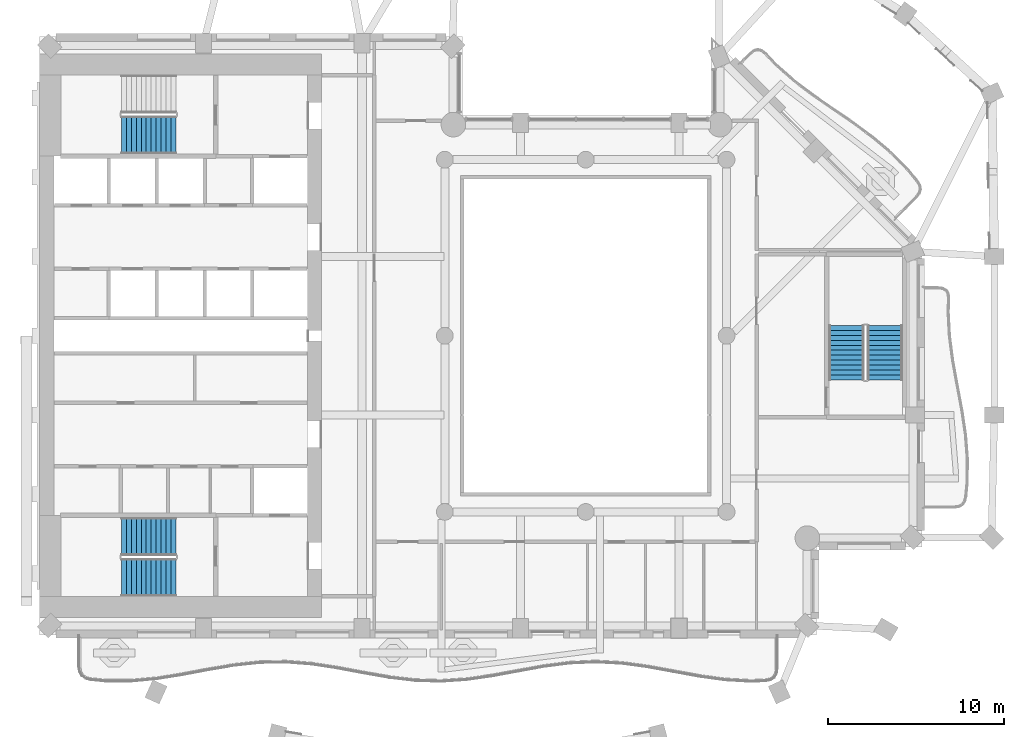
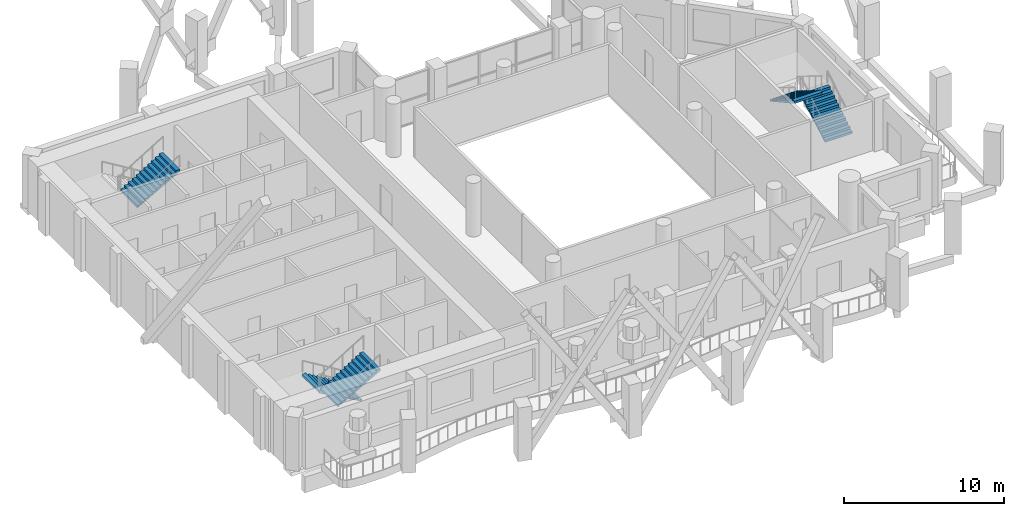
# One storey, part 10 of 17: 5 stair flights, 3 elements without a shape of their own.
"""IFC4 building model written with IfcOpenShell, lengths in metres."""

from ifc_helpers import new_model, si_unit, direction, frame, origin, place, context, subcontext, project, spatial, triangles, material, type_object, element, aggregate, save


model = new_model("IFC4")

# Units and contexts
model_context = context("Model", 3, precision=1e-05, world=origin(), true_north=direction((0.0, 1.0)))
body_context = subcontext(model_context, "Body", "Model", "MODEL_VIEW")
ifc_project = project(units=[si_unit("LENGTHUNIT", "METRE"), si_unit("AREAUNIT", "SQUARE_METRE"), si_unit("VOLUMEUNIT", "CUBIC_METRE"), si_unit("PLANEANGLEUNIT", "RADIAN"), si_unit("MASSUNIT", "GRAM", prefix="KILO")], contexts=[model_context])

# Site, building, storey
site_placement = place(None, origin())
site = spatial("IfcSite", under=ifc_project, at=site_placement, CompositionType="ELEMENT")
building_placement = place(site_placement, origin())
building = spatial("IfcBuilding", under=site, at=building_placement, Name="Cypress Arch Tower", CompositionType="ELEMENT")
storey_placement = place(building_placement, frame((0.0, 0.0, 217.89990234375)))
storey = spatial("IfcBuildingStorey", under=building, at=storey_placement, Name="L48", CompositionType="ELEMENT", Elevation=217.89990234375)

# Stair, stair flights
ifc_material_1 = material(Name="Concrete C40/50", Category="concrete")
stair_type_1 = type_object("IfcStairType", Name="Exit stair ES1708-200", PredefinedType="HALF_TURN_STAIR", material=ifc_material_1)
stair_1_placement = place(storey_placement, origin())
stair_1 = element("IfcStair", 1, at=stair_1_placement, inside=storey, type_object=stair_type_1, Name="L48 Exit stair C", PredefinedType="HALF_TURN_STAIR")
ifc_material_2 = material(Name="Concrete C40/50", Category="concrete")
stair_flight_type_1 = type_object("IfcStairFlightType", Name="Exit stair flight ES1708-200", PredefinedType="STRAIGHT", material=ifc_material_2)
stair_flight_1_placement = place(storey_placement, frame((18.0, -2.5, 0.0), z_axis=(0.0, 0.0, 1.0), x_axis=(0.0, 1.0, 0.0)))
stair_flight_1 = element("IfcStairFlight", 2, at=stair_flight_1_placement, type_object=stair_flight_type_1, Name="C flight 1", NumberOfRisers=12, NumberOfTreads=11, PredefinedType="STRAIGHT", RiserHeight=0.170833333, TreadLength=0.28, context=body_context, shape_type="Tessellation", body=[
    triangles([(0.0, -1.0, 0.0), (0.0, -1.0, 0.1708984375), (0.280029296875, -1.0, 0.1708984375), (0.280029296875, -1.0, 0.341552734375), (0.56005859375, -1.0, 0.341552734375), (0.56005859375, -1.0, 0.512451171875), (0.840087890625, -1.0, 0.512451171875), (0.840087890625, -1.0, 0.683349609375), (1.1201171875, -1.0, 0.683349609375), (1.1201171875, -1.0, 0.854248046875), (1.39990234375, -1.0, 0.854248046875), (1.39990234375, -1.0, 1.02490234375), (1.679931640625, -1.0, 1.02490234375), (1.679931640625, -1.0, 1.19580078125), (1.9599609375, -1.0, 1.19580078125), (1.9599609375, -1.0, 1.36669921875), (2.239990234375, -1.0, 1.36669921875), (2.239990234375, -1.0, 1.53759765625), (2.52001953125, -1.0, 1.53759765625), (2.52001953125, -1.0, 1.708251953125), (2.800048828125, -1.0, 1.708251953125), (2.800048828125, -1.0, 1.879150390625), (3.080078125, -1.0, 1.879150390625), (3.080078125, -1.0, 1.70361328125), (3.080078125, 1.0, 1.70361328125), (3.080078125, 1.0, 1.879150390625), (2.800048828125, 1.0, 1.879150390625), (2.800048828125, 1.0, 1.708251953125), (2.52001953125, 1.0, 1.708251953125), (2.52001953125, 1.0, 1.53759765625), (2.239990234375, 1.0, 1.53759765625), (2.239990234375, 1.0, 1.36669921875), (1.9599609375, 1.0, 1.36669921875), (1.9599609375, 1.0, 1.19580078125), (1.679931640625, 1.0, 1.19580078125), (1.679931640625, 1.0, 1.02490234375), (1.39990234375, 1.0, 1.02490234375), (1.39990234375, 1.0, 0.854248046875), (1.1201171875, 1.0, 0.854248046875), (1.1201171875, 1.0, 0.683349609375), (0.840087890625, 1.0, 0.683349609375), (0.840087890625, 1.0, 0.512451171875), (0.56005859375, 1.0, 0.512451171875), (0.56005859375, 1.0, 0.341552734375), (0.280029296875, 1.0, 0.341552734375), (0.280029296875, 1.0, 0.1708984375), (0.0, 1.0, 0.1708984375), (0.0, 1.0, 0.0), (3.080078125, 0.0, 1.879150390625), (3.080078125, 0.0, 1.70361328125), (2.800048828125, 0.0, 1.879150390625), (2.800048828125, 0.0, 1.708251953125), (2.52001953125, 0.0, 1.708251953125), (2.52001953125, 0.0, 1.53759765625), (2.239990234375, 0.0, 1.53759765625), (2.239990234375, 0.0, 1.36669921875), (1.9599609375, 0.0, 1.36669921875), (1.9599609375, 0.0, 1.19580078125), (1.679931640625, 0.0, 1.19580078125), (1.679931640625, 0.0, 1.02490234375), (1.39990234375, 0.0, 1.02490234375), (1.39990234375, 0.0, 0.854248046875), (1.1201171875, 0.0, 0.854248046875), (1.1201171875, 0.0, 0.683349609375), (0.840087890625, 0.0, 0.683349609375), (0.840087890625, 0.0, 0.512451171875), (0.56005859375, 0.0, 0.512451171875), (0.56005859375, 0.0, 0.341552734375), (0.280029296875, 0.0, 0.341552734375), (0.280029296875, 0.0, 0.1708984375), (0.0, 0.0, 0.1708984375), (0.0, 0.0, 0.0)], [[24, 23, 22], [11, 10, 9], [19, 18, 17], [17, 16, 15], [15, 14, 13], [9, 8, 7], [7, 6, 5], [3, 2, 1], [21, 20, 19], [13, 12, 11], [5, 4, 3], [24, 22, 21], [24, 21, 19], [24, 19, 17], [24, 17, 15], [24, 15, 13], [24, 13, 11], [24, 11, 9], [24, 9, 7], [24, 7, 5], [1, 24, 5], [5, 3, 1], [25, 27, 26], [38, 40, 39], [30, 32, 31], [32, 34, 33], [34, 36, 35], [40, 42, 41], [42, 44, 43], [46, 48, 47], [28, 30, 29], [36, 38, 37], [44, 46, 45], [25, 28, 27], [25, 30, 28], [25, 32, 30], [25, 34, 32], [25, 36, 34], [25, 38, 36], [25, 40, 38], [25, 42, 40], [25, 44, 42], [48, 44, 25], [44, 48, 46], [50, 49, 23], [50, 23, 24], [25, 26, 49], [25, 49, 50], [49, 51, 22], [49, 22, 23], [26, 27, 51], [26, 51, 49], [51, 52, 21], [51, 21, 22], [27, 28, 52], [27, 52, 51], [52, 53, 20], [52, 20, 21], [28, 29, 53], [28, 53, 52], [53, 54, 19], [53, 19, 20], [29, 30, 54], [29, 54, 53], [54, 55, 18], [54, 18, 19], [30, 31, 55], [30, 55, 54], [55, 56, 17], [55, 17, 18], [31, 32, 56], [31, 56, 55], [56, 57, 16], [56, 16, 17], [32, 33, 57], [32, 57, 56], [57, 58, 15], [57, 15, 16], [33, 34, 58], [33, 58, 57], [58, 59, 14], [58, 14, 15], [34, 35, 59], [34, 59, 58], [59, 60, 13], [59, 13, 14], [35, 36, 60], [35, 60, 59], [60, 61, 12], [60, 12, 13], [36, 37, 61], [36, 61, 60], [61, 62, 11], [61, 11, 12], [37, 38, 62], [37, 62, 61], [62, 63, 10], [62, 10, 11], [38, 39, 63], [38, 63, 62], [63, 64, 9], [63, 9, 10], [39, 40, 64], [39, 64, 63], [64, 65, 8], [64, 8, 9], [40, 41, 65], [40, 65, 64], [65, 66, 7], [65, 7, 8], [41, 42, 66], [41, 66, 65], [66, 67, 6], [66, 6, 7], [42, 43, 67], [42, 67, 66], [67, 68, 5], [67, 5, 6], [43, 44, 68], [43, 68, 67], [68, 69, 4], [68, 4, 5], [44, 45, 69], [44, 69, 68], [69, 70, 3], [69, 3, 4], [45, 46, 70], [45, 70, 69], [70, 71, 2], [70, 2, 3], [46, 47, 71], [46, 71, 70], [71, 72, 1], [71, 1, 2], [47, 48, 72], [47, 72, 71], [72, 50, 24], [72, 24, 1], [48, 25, 50], [48, 50, 72]], closed=True),
])
stair_flight_2_placement = place(storey_placement, frame((15.800048828125, 0.580078125, 2.050048828125), z_axis=(0.0, 0.0, 1.0), x_axis=(0.0, -1.0, 0.0)))
stair_flight_2 = element("IfcStairFlight", 3, at=stair_flight_2_placement, type_object=stair_flight_type_1, Name="C flight 2", NumberOfRisers=12, NumberOfTreads=11, PredefinedType="STRAIGHT", RiserHeight=0.170833333, TreadLength=0.28, context=body_context, shape_type="Tessellation", body=[
    triangles([(0.0, -1.0, 0.0), (0.0, -1.0, 0.1708984375), (0.280029296875, -1.0, 0.1708984375), (0.280029296875, -1.0, 0.341552734375), (0.56005859375, -1.0, 0.341552734375), (0.56005859375, -1.0, 0.512451171875), (0.840087890625, -1.0, 0.512451171875), (0.840087890625, -1.0, 0.683349609375), (1.1201171875, -1.0, 0.683349609375), (1.1201171875, -1.0, 0.854248046875), (1.39990234375, -1.0, 0.854248046875), (1.39990234375, -1.0, 1.02490234375), (1.679931640625, -1.0, 1.02490234375), (1.679931640625, -1.0, 1.19580078125), (1.9599609375, -1.0, 1.19580078125), (1.9599609375, -1.0, 1.36669921875), (2.239990234375, -1.0, 1.36669921875), (2.239990234375, -1.0, 1.53759765625), (2.52001953125, -1.0, 1.53759765625), (2.52001953125, -1.0, 1.708251953125), (2.800048828125, -1.0, 1.708251953125), (2.800048828125, -1.0, 1.879150390625), (3.080078125, -1.0, 1.879150390625), (3.080078125, -1.0, 1.70361328125), (3.080078125, 1.0, 1.70361328125), (3.080078125, 1.0, 1.879150390625), (2.800048828125, 1.0, 1.879150390625), (2.800048828125, 1.0, 1.708251953125), (2.52001953125, 1.0, 1.708251953125), (2.52001953125, 1.0, 1.53759765625), (2.239990234375, 1.0, 1.53759765625), (2.239990234375, 1.0, 1.36669921875), (1.9599609375, 1.0, 1.36669921875), (1.9599609375, 1.0, 1.19580078125), (1.679931640625, 1.0, 1.19580078125), (1.679931640625, 1.0, 1.02490234375), (1.39990234375, 1.0, 1.02490234375), (1.39990234375, 1.0, 0.854248046875), (1.1201171875, 1.0, 0.854248046875), (1.1201171875, 1.0, 0.683349609375), (0.840087890625, 1.0, 0.683349609375), (0.840087890625, 1.0, 0.512451171875), (0.56005859375, 1.0, 0.512451171875), (0.56005859375, 1.0, 0.341552734375), (0.280029296875, 1.0, 0.341552734375), (0.280029296875, 1.0, 0.1708984375), (0.0, 1.0, 0.1708984375), (0.0, 1.0, 0.0), (3.080078125, 0.0, 1.879150390625), (3.080078125, 0.0, 1.70361328125), (2.800048828125, 0.0, 1.879150390625), (2.800048828125, 0.0, 1.708251953125), (2.52001953125, 0.0, 1.708251953125), (2.52001953125, 0.0, 1.53759765625), (2.239990234375, 0.0, 1.53759765625), (2.239990234375, 0.0, 1.36669921875), (1.9599609375, 0.0, 1.36669921875), (1.9599609375, 0.0, 1.19580078125), (1.679931640625, 0.0, 1.19580078125), (1.679931640625, 0.0, 1.02490234375), (1.39990234375, 0.0, 1.02490234375), (1.39990234375, 0.0, 0.854248046875), (1.1201171875, 0.0, 0.854248046875), (1.1201171875, 0.0, 0.683349609375), (0.840087890625, 0.0, 0.683349609375), (0.840087890625, 0.0, 0.512451171875), (0.56005859375, 0.0, 0.512451171875), (0.56005859375, 0.0, 0.341552734375), (0.280029296875, 0.0, 0.341552734375), (0.280029296875, 0.0, 0.1708984375), (0.0, 0.0, 0.1708984375), (0.0, 0.0, 0.0)], [[24, 23, 22], [11, 10, 9], [19, 18, 17], [17, 16, 15], [15, 14, 13], [9, 8, 7], [7, 6, 5], [3, 2, 1], [21, 20, 19], [13, 12, 11], [5, 4, 3], [24, 22, 21], [24, 21, 19], [24, 19, 17], [24, 17, 15], [24, 15, 13], [24, 13, 11], [24, 11, 9], [24, 9, 7], [24, 7, 5], [1, 24, 5], [5, 3, 1], [25, 27, 26], [38, 40, 39], [30, 32, 31], [32, 34, 33], [34, 36, 35], [40, 42, 41], [42, 44, 43], [46, 48, 47], [28, 30, 29], [36, 38, 37], [44, 46, 45], [25, 28, 27], [25, 30, 28], [25, 32, 30], [25, 34, 32], [25, 36, 34], [25, 38, 36], [25, 40, 38], [25, 42, 40], [25, 44, 42], [48, 44, 25], [44, 48, 46], [50, 49, 23], [50, 23, 24], [25, 26, 49], [25, 49, 50], [49, 51, 22], [49, 22, 23], [26, 27, 51], [26, 51, 49], [51, 52, 21], [51, 21, 22], [27, 28, 52], [27, 52, 51], [52, 53, 20], [52, 20, 21], [28, 29, 53], [28, 53, 52], [53, 54, 19], [53, 19, 20], [29, 30, 54], [29, 54, 53], [54, 55, 18], [54, 18, 19], [30, 31, 55], [30, 55, 54], [55, 56, 17], [55, 17, 18], [31, 32, 56], [31, 56, 55], [56, 57, 16], [56, 16, 17], [32, 33, 57], [32, 57, 56], [57, 58, 15], [57, 15, 16], [33, 34, 58], [33, 58, 57], [58, 59, 14], [58, 14, 15], [34, 35, 59], [34, 59, 58], [59, 60, 13], [59, 13, 14], [35, 36, 60], [35, 60, 59], [60, 61, 12], [60, 12, 13], [36, 37, 61], [36, 61, 60], [61, 62, 11], [61, 11, 12], [37, 38, 62], [37, 62, 61], [62, 63, 10], [62, 10, 11], [38, 39, 63], [38, 63, 62], [63, 64, 9], [63, 9, 10], [39, 40, 64], [39, 64, 63], [64, 65, 8], [64, 8, 9], [40, 41, 65], [40, 65, 64], [65, 66, 7], [65, 7, 8], [41, 42, 66], [41, 66, 65], [66, 67, 6], [66, 6, 7], [42, 43, 67], [42, 67, 66], [67, 68, 5], [67, 5, 6], [43, 44, 68], [43, 68, 67], [68, 69, 4], [68, 4, 5], [44, 45, 69], [44, 69, 68], [69, 70, 3], [69, 3, 4], [45, 46, 70], [45, 70, 69], [70, 71, 2], [70, 2, 3], [46, 47, 71], [46, 71, 70], [71, 72, 1], [71, 1, 2], [47, 48, 72], [47, 72, 71], [72, 50, 24], [72, 24, 1], [48, 25, 50], [48, 50, 72]], closed=True),
])
aggregate(stair_1, [stair_flight_1, stair_flight_2])

ifc_material_3 = material(Name="Concrete C40/50", Category="concrete")
stair_type_2 = type_object("IfcStairType", Name="Exit stair ES1708-215", PredefinedType="HALF_TURN_STAIR", material=ifc_material_3)
stair_2_placement = place(storey_placement, origin())
stair_2 = element("IfcStair", 4, at=stair_2_placement, inside=storey, type_object=stair_type_2, Name="L48 Exit stair A", PredefinedType="HALF_TURN_STAIR")
ifc_material_4 = material(Name="Concrete C40/50", Category="concrete")
stair_flight_type_2 = type_object("IfcStairFlightType", Name="Exit stair flight ES1708-215", PredefinedType="STRAIGHT", material=ifc_material_4)
stair_flight_3_placement = place(storey_placement, frame((-22.27490234375, -11.39990234375, 0.0), z_axis=(0.0, 0.0, 1.0), x_axis=(-1.0, 0.0, 0.0)))
stair_flight_3 = element("IfcStairFlight", 5, at=stair_flight_3_placement, type_object=stair_flight_type_2, Name="A flight 1", NumberOfRisers=12, NumberOfTreads=11, PredefinedType="STRAIGHT", RiserHeight=0.170833333, TreadLength=0.28, context=body_context, shape_type="Tessellation", body=[
    triangles([(0.0, -1.074951171875, 0.0), (0.000244140625, -1.074951171875, 0.01904296875), (0.000244140625, -1.074951171875, 0.0380859375), (0.00048828125, -1.074951171875, 0.056884765625), (0.00048828125, -1.074951171875, 0.075927734375), (0.00048828125, -1.074951171875, 0.094970703125), (0.00048828125, -1.074951171875, 0.114013671875), (0.000244140625, -1.074951171875, 0.1328125), (0.000244140625, -1.074951171875, 0.15185546875), (0.0, -1.074951171875, 0.1708984375), (0.280029296875, -1.074951171875, 0.1708984375), (0.280029296875, -1.074951171875, 0.341552734375), (0.56005859375, -1.074951171875, 0.341552734375), (0.56005859375, -1.074951171875, 0.512451171875), (0.840087890625, -1.074951171875, 0.512451171875), (0.840087890625, -1.074951171875, 0.683349609375), (1.1201171875, -1.074951171875, 0.683349609375), (1.1201171875, -1.074951171875, 0.854248046875), (1.39990234375, -1.074951171875, 0.854248046875), (1.39990234375, -1.074951171875, 1.02490234375), (1.679931640625, -1.074951171875, 1.02490234375), (1.679931640625, -1.074951171875, 1.19580078125), (1.9599609375, -1.074951171875, 1.19580078125), (1.9599609375, -1.074951171875, 1.36669921875), (2.239990234375, -1.074951171875, 1.36669921875), (2.239990234375, -1.074951171875, 1.53759765625), (2.52001953125, -1.074951171875, 1.53759765625), (2.52001953125, -1.074951171875, 1.708251953125), (2.800048828125, -1.074951171875, 1.708251953125), (2.800048828125, -1.074951171875, 1.879150390625), (3.080078125, -1.074951171875, 1.879150390625), (3.079833984375, -1.074951171875, 1.859619140625), (3.079833984375, -1.074951171875, 1.840087890625), (3.07958984375, -1.074951171875, 1.820556640625), (3.07958984375, -1.074951171875, 1.801025390625), (3.07958984375, -1.074951171875, 1.78173828125), (3.07958984375, -1.074951171875, 1.76220703125), (3.079833984375, -1.074951171875, 1.74267578125), (3.079833984375, -1.074951171875, 1.72314453125), (3.080078125, -1.074951171875, 1.70361328125), (3.080078125, 1.074951171875, 1.70361328125), (3.079833984375, 1.074951171875, 1.72314453125), (3.079833984375, 1.074951171875, 1.74267578125), (3.07958984375, 1.074951171875, 1.76220703125), (3.07958984375, 1.074951171875, 1.78173828125), (3.07958984375, 1.074951171875, 1.801025390625), (3.07958984375, 1.074951171875, 1.820556640625), (3.079833984375, 1.074951171875, 1.840087890625), (3.079833984375, 1.074951171875, 1.859619140625), (3.080078125, 1.074951171875, 1.879150390625), (2.800048828125, 1.074951171875, 1.879150390625), (2.800048828125, 1.074951171875, 1.708251953125), (2.52001953125, 1.074951171875, 1.708251953125), (2.52001953125, 1.074951171875, 1.53759765625), (2.239990234375, 1.074951171875, 1.53759765625), (2.239990234375, 1.074951171875, 1.36669921875), (1.9599609375, 1.074951171875, 1.36669921875), (1.9599609375, 1.074951171875, 1.19580078125), (1.679931640625, 1.074951171875, 1.19580078125), (1.679931640625, 1.074951171875, 1.02490234375), (1.39990234375, 1.074951171875, 1.02490234375), (1.39990234375, 1.074951171875, 0.854248046875), (1.1201171875, 1.074951171875, 0.854248046875), (1.1201171875, 1.074951171875, 0.683349609375), (0.840087890625, 1.074951171875, 0.683349609375), (0.840087890625, 1.074951171875, 0.512451171875), (0.56005859375, 1.074951171875, 0.512451171875), (0.56005859375, 1.074951171875, 0.341552734375), (0.280029296875, 1.074951171875, 0.341552734375), (0.280029296875, 1.074951171875, 0.1708984375), (0.0, 1.074951171875, 0.1708984375), (0.000244140625, 1.074951171875, 0.15185546875), (0.000244140625, 1.074951171875, 0.1328125), (0.00048828125, 1.074951171875, 0.114013671875), (0.00048828125, 1.074951171875, 0.094970703125), (0.00048828125, 1.074951171875, 0.075927734375), (0.00048828125, 1.074951171875, 0.056884765625), (0.000244140625, 1.074951171875, 0.0380859375), (0.000244140625, 1.074951171875, 0.01904296875), (0.0, 1.074951171875, 0.0)], [[40, 39, 30], [39, 38, 30], [38, 37, 30], [37, 36, 30], [36, 35, 30], [35, 34, 30], [34, 33, 30], [33, 32, 30], [32, 31, 30], [19, 18, 17], [27, 26, 25], [25, 24, 23], [23, 22, 21], [17, 16, 15], [15, 14, 13], [10, 9, 11], [9, 8, 11], [8, 7, 11], [7, 6, 11], [6, 5, 11], [5, 4, 11], [4, 3, 11], [3, 2, 11], [2, 1, 11], [29, 28, 27], [21, 20, 19], [13, 12, 11], [40, 30, 29], [40, 29, 27], [40, 27, 25], [40, 25, 23], [40, 23, 21], [40, 21, 19], [40, 19, 17], [40, 17, 15], [40, 15, 13], [1, 40, 13], [13, 11, 1], [41, 51, 42], [42, 51, 43], [43, 51, 44], [44, 51, 45], [45, 51, 46], [46, 51, 47], [47, 51, 48], [48, 51, 49], [49, 51, 50], [62, 64, 63], [54, 56, 55], [56, 58, 57], [58, 60, 59], [64, 66, 65], [66, 68, 67], [71, 70, 72], [72, 70, 73], [73, 70, 74], [74, 70, 75], [75, 70, 76], [76, 70, 77], [77, 70, 78], [78, 70, 79], [79, 70, 80], [52, 54, 53], [60, 62, 61], [68, 70, 69], [41, 52, 51], [41, 54, 52], [41, 56, 54], [41, 58, 56], [41, 60, 58], [41, 62, 60], [41, 64, 62], [41, 66, 64], [41, 68, 66], [80, 68, 41], [68, 80, 70], [41, 42, 39], [41, 39, 40], [42, 43, 38], [42, 38, 39], [43, 44, 37], [43, 37, 38], [44, 45, 36], [44, 36, 37], [45, 46, 35], [45, 35, 36], [46, 47, 34], [46, 34, 35], [47, 48, 33], [47, 33, 34], [48, 49, 32], [48, 32, 33], [49, 50, 31], [49, 31, 32], [50, 51, 30], [50, 30, 31], [51, 52, 29], [51, 29, 30], [52, 53, 28], [52, 28, 29], [53, 54, 27], [53, 27, 28], [54, 55, 26], [54, 26, 27], [55, 56, 25], [55, 25, 26], [56, 57, 24], [56, 24, 25], [57, 58, 23], [57, 23, 24], [58, 59, 22], [58, 22, 23], [59, 60, 21], [59, 21, 22], [60, 61, 20], [60, 20, 21], [61, 62, 19], [61, 19, 20], [62, 63, 18], [62, 18, 19], [63, 64, 17], [63, 17, 18], [64, 65, 16], [64, 16, 17], [65, 66, 15], [65, 15, 16], [66, 67, 14], [66, 14, 15], [67, 68, 13], [67, 13, 14], [68, 69, 12], [68, 12, 13], [69, 70, 11], [69, 11, 12], [70, 71, 10], [70, 10, 11], [71, 72, 9], [71, 9, 10], [72, 73, 8], [72, 8, 9], [73, 74, 7], [73, 7, 8], [74, 75, 6], [74, 6, 7], [75, 76, 5], [75, 5, 6], [76, 77, 4], [76, 4, 5], [77, 78, 3], [77, 3, 4], [78, 79, 2], [78, 2, 3], [79, 80, 1], [79, 1, 2], [80, 41, 40], [80, 40, 1]], closed=True),
])
stair_flight_4_placement = place(storey_placement, frame((-25.35498046875, -13.72509765625, 2.050048828125), z_axis=(0.0, 0.0, 1.0), x_axis=(1.0, 0.0, 0.0)))
stair_flight_4 = element("IfcStairFlight", 6, at=stair_flight_4_placement, type_object=stair_flight_type_2, Name="A flight 2", NumberOfRisers=12, NumberOfTreads=11, PredefinedType="STRAIGHT", RiserHeight=0.170833333, TreadLength=0.28, context=body_context, shape_type="Tessellation", body=[
    triangles([(0.0, -1.074951171875, 0.0), (0.000244140625, -1.074951171875, 0.01904296875), (0.000244140625, -1.074951171875, 0.0380859375), (0.00048828125, -1.074951171875, 0.056884765625), (0.00048828125, -1.074951171875, 0.075927734375), (0.00048828125, -1.074951171875, 0.094970703125), (0.00048828125, -1.074951171875, 0.114013671875), (0.000244140625, -1.074951171875, 0.1328125), (0.000244140625, -1.074951171875, 0.15185546875), (0.0, -1.074951171875, 0.1708984375), (0.280029296875, -1.074951171875, 0.1708984375), (0.280029296875, -1.074951171875, 0.341552734375), (0.56005859375, -1.074951171875, 0.341552734375), (0.56005859375, -1.074951171875, 0.512451171875), (0.840087890625, -1.074951171875, 0.512451171875), (0.840087890625, -1.074951171875, 0.683349609375), (1.1201171875, -1.074951171875, 0.683349609375), (1.1201171875, -1.074951171875, 0.854248046875), (1.39990234375, -1.074951171875, 0.854248046875), (1.39990234375, -1.074951171875, 1.02490234375), (1.679931640625, -1.074951171875, 1.02490234375), (1.679931640625, -1.074951171875, 1.19580078125), (1.9599609375, -1.074951171875, 1.19580078125), (1.9599609375, -1.074951171875, 1.36669921875), (2.239990234375, -1.074951171875, 1.36669921875), (2.239990234375, -1.074951171875, 1.53759765625), (2.52001953125, -1.074951171875, 1.53759765625), (2.52001953125, -1.074951171875, 1.708251953125), (2.800048828125, -1.074951171875, 1.708251953125), (2.800048828125, -1.074951171875, 1.879150390625), (3.080078125, -1.074951171875, 1.879150390625), (3.079833984375, -1.074951171875, 1.859619140625), (3.079833984375, -1.074951171875, 1.840087890625), (3.07958984375, -1.074951171875, 1.820556640625), (3.07958984375, -1.074951171875, 1.801025390625), (3.07958984375, -1.074951171875, 1.78173828125), (3.07958984375, -1.074951171875, 1.76220703125), (3.079833984375, -1.074951171875, 1.74267578125), (3.079833984375, -1.074951171875, 1.72314453125), (3.080078125, -1.074951171875, 1.70361328125), (3.080078125, 1.074951171875, 1.70361328125), (3.079833984375, 1.074951171875, 1.72314453125), (3.079833984375, 1.074951171875, 1.74267578125), (3.07958984375, 1.074951171875, 1.76220703125), (3.07958984375, 1.074951171875, 1.78173828125), (3.07958984375, 1.074951171875, 1.801025390625), (3.07958984375, 1.074951171875, 1.820556640625), (3.079833984375, 1.074951171875, 1.840087890625), (3.079833984375, 1.074951171875, 1.859619140625), (3.080078125, 1.074951171875, 1.879150390625), (2.800048828125, 1.074951171875, 1.879150390625), (2.800048828125, 1.074951171875, 1.708251953125), (2.52001953125, 1.074951171875, 1.708251953125), (2.52001953125, 1.074951171875, 1.53759765625), (2.239990234375, 1.074951171875, 1.53759765625), (2.239990234375, 1.074951171875, 1.36669921875), (1.9599609375, 1.074951171875, 1.36669921875), (1.9599609375, 1.074951171875, 1.19580078125), (1.679931640625, 1.074951171875, 1.19580078125), (1.679931640625, 1.074951171875, 1.02490234375), (1.39990234375, 1.074951171875, 1.02490234375), (1.39990234375, 1.074951171875, 0.854248046875), (1.1201171875, 1.074951171875, 0.854248046875), (1.1201171875, 1.074951171875, 0.683349609375), (0.840087890625, 1.074951171875, 0.683349609375), (0.840087890625, 1.074951171875, 0.512451171875), (0.56005859375, 1.074951171875, 0.512451171875), (0.56005859375, 1.074951171875, 0.341552734375), (0.280029296875, 1.074951171875, 0.341552734375), (0.280029296875, 1.074951171875, 0.1708984375), (0.0, 1.074951171875, 0.1708984375), (0.000244140625, 1.074951171875, 0.15185546875), (0.000244140625, 1.074951171875, 0.1328125), (0.00048828125, 1.074951171875, 0.114013671875), (0.00048828125, 1.074951171875, 0.094970703125), (0.00048828125, 1.074951171875, 0.075927734375), (0.00048828125, 1.074951171875, 0.056884765625), (0.000244140625, 1.074951171875, 0.0380859375), (0.000244140625, 1.074951171875, 0.01904296875), (0.0, 1.074951171875, 0.0)], [[40, 39, 30], [39, 38, 30], [38, 37, 30], [37, 36, 30], [36, 35, 30], [35, 34, 30], [34, 33, 30], [33, 32, 30], [32, 31, 30], [19, 18, 17], [27, 26, 25], [25, 24, 23], [23, 22, 21], [17, 16, 15], [15, 14, 13], [10, 9, 11], [9, 8, 11], [8, 7, 11], [7, 6, 11], [6, 5, 11], [5, 4, 11], [4, 3, 11], [3, 2, 11], [2, 1, 11], [29, 28, 27], [21, 20, 19], [13, 12, 11], [40, 30, 29], [40, 29, 27], [40, 27, 25], [40, 25, 23], [40, 23, 21], [40, 21, 19], [40, 19, 17], [40, 17, 15], [40, 15, 13], [1, 40, 13], [13, 11, 1], [41, 51, 42], [42, 51, 43], [43, 51, 44], [44, 51, 45], [45, 51, 46], [46, 51, 47], [47, 51, 48], [48, 51, 49], [49, 51, 50], [62, 64, 63], [54, 56, 55], [56, 58, 57], [58, 60, 59], [64, 66, 65], [66, 68, 67], [71, 70, 72], [72, 70, 73], [73, 70, 74], [74, 70, 75], [75, 70, 76], [76, 70, 77], [77, 70, 78], [78, 70, 79], [79, 70, 80], [52, 54, 53], [60, 62, 61], [68, 70, 69], [41, 52, 51], [41, 54, 52], [41, 56, 54], [41, 58, 56], [41, 60, 58], [41, 62, 60], [41, 64, 62], [41, 66, 64], [41, 68, 66], [80, 68, 41], [68, 80, 70], [41, 42, 39], [41, 39, 40], [42, 43, 38], [42, 38, 39], [43, 44, 37], [43, 37, 38], [44, 45, 36], [44, 36, 37], [45, 46, 35], [45, 35, 36], [46, 47, 34], [46, 34, 35], [47, 48, 33], [47, 33, 34], [48, 49, 32], [48, 32, 33], [49, 50, 31], [49, 31, 32], [50, 51, 30], [50, 30, 31], [51, 52, 29], [51, 29, 30], [52, 53, 28], [52, 28, 29], [53, 54, 27], [53, 27, 28], [54, 55, 26], [54, 26, 27], [55, 56, 25], [55, 25, 26], [56, 57, 24], [56, 24, 25], [57, 58, 23], [57, 23, 24], [58, 59, 22], [58, 22, 23], [59, 60, 21], [59, 21, 22], [60, 61, 20], [60, 20, 21], [61, 62, 19], [61, 19, 20], [62, 63, 18], [62, 18, 19], [63, 64, 17], [63, 17, 18], [64, 65, 16], [64, 16, 17], [65, 66, 15], [65, 15, 16], [66, 67, 14], [66, 14, 15], [67, 68, 13], [67, 13, 14], [68, 69, 12], [68, 12, 13], [69, 70, 11], [69, 11, 12], [70, 71, 10], [70, 10, 11], [71, 72, 9], [71, 9, 10], [72, 73, 8], [72, 8, 9], [73, 74, 7], [73, 7, 8], [74, 75, 6], [74, 6, 7], [75, 76, 5], [75, 5, 6], [76, 77, 4], [76, 4, 5], [77, 78, 3], [77, 3, 4], [78, 79, 2], [78, 2, 3], [79, 80, 1], [79, 1, 2], [80, 41, 40], [80, 40, 1]], closed=True),
])
aggregate(stair_2, [stair_flight_3, stair_flight_4])

# Stair, stair flight
stair_3_placement = place(storey_placement, origin())
stair_3 = element("IfcStair", 7, at=stair_3_placement, inside=storey, type_object=stair_type_2, Name="L48 Exit stair B", PredefinedType="HALF_TURN_STAIR")
stair_flight_5_placement = place(storey_placement, frame((-25.35498046875, 11.39990234375, 2.050048828125), z_axis=(0.0, 0.0, 1.0), x_axis=(1.0, 0.0, 0.0)))
stair_flight_5 = element("IfcStairFlight", 8, at=stair_flight_5_placement, type_object=stair_flight_type_2, Name="B flight 2", NumberOfRisers=12, NumberOfTreads=11, PredefinedType="STRAIGHT", RiserHeight=0.170833333, TreadLength=0.28, context=body_context, shape_type="Tessellation", body=[
    triangles([(0.0, -1.074951171875, 0.0), (0.000244140625, -1.074951171875, 0.01904296875), (0.000244140625, -1.074951171875, 0.0380859375), (0.00048828125, -1.074951171875, 0.056884765625), (0.00048828125, -1.074951171875, 0.075927734375), (0.00048828125, -1.074951171875, 0.094970703125), (0.00048828125, -1.074951171875, 0.114013671875), (0.000244140625, -1.074951171875, 0.1328125), (0.000244140625, -1.074951171875, 0.15185546875), (0.0, -1.074951171875, 0.1708984375), (0.280029296875, -1.074951171875, 0.1708984375), (0.280029296875, -1.074951171875, 0.341552734375), (0.56005859375, -1.074951171875, 0.341552734375), (0.56005859375, -1.074951171875, 0.512451171875), (0.840087890625, -1.074951171875, 0.512451171875), (0.840087890625, -1.074951171875, 0.683349609375), (1.1201171875, -1.074951171875, 0.683349609375), (1.1201171875, -1.074951171875, 0.854248046875), (1.39990234375, -1.074951171875, 0.854248046875), (1.39990234375, -1.074951171875, 1.02490234375), (1.679931640625, -1.074951171875, 1.02490234375), (1.679931640625, -1.074951171875, 1.19580078125), (1.9599609375, -1.074951171875, 1.19580078125), (1.9599609375, -1.074951171875, 1.36669921875), (2.239990234375, -1.074951171875, 1.36669921875), (2.239990234375, -1.074951171875, 1.53759765625), (2.52001953125, -1.074951171875, 1.53759765625), (2.52001953125, -1.074951171875, 1.708251953125), (2.800048828125, -1.074951171875, 1.708251953125), (2.800048828125, -1.074951171875, 1.879150390625), (3.080078125, -1.074951171875, 1.879150390625), (3.079833984375, -1.074951171875, 1.859619140625), (3.079833984375, -1.074951171875, 1.840087890625), (3.07958984375, -1.074951171875, 1.820556640625), (3.07958984375, -1.074951171875, 1.801025390625), (3.07958984375, -1.074951171875, 1.78173828125), (3.07958984375, -1.074951171875, 1.76220703125), (3.079833984375, -1.074951171875, 1.74267578125), (3.079833984375, -1.074951171875, 1.72314453125), (3.080078125, -1.074951171875, 1.70361328125), (3.080078125, 1.074951171875, 1.70361328125), (3.079833984375, 1.074951171875, 1.72314453125), (3.079833984375, 1.074951171875, 1.74267578125), (3.07958984375, 1.074951171875, 1.76220703125), (3.07958984375, 1.074951171875, 1.78173828125), (3.07958984375, 1.074951171875, 1.801025390625), (3.07958984375, 1.074951171875, 1.820556640625), (3.079833984375, 1.074951171875, 1.840087890625), (3.079833984375, 1.074951171875, 1.859619140625), (3.080078125, 1.074951171875, 1.879150390625), (2.800048828125, 1.074951171875, 1.879150390625), (2.800048828125, 1.074951171875, 1.708251953125), (2.52001953125, 1.074951171875, 1.708251953125), (2.52001953125, 1.074951171875, 1.53759765625), (2.239990234375, 1.074951171875, 1.53759765625), (2.239990234375, 1.074951171875, 1.36669921875), (1.9599609375, 1.074951171875, 1.36669921875), (1.9599609375, 1.074951171875, 1.19580078125), (1.679931640625, 1.074951171875, 1.19580078125), (1.679931640625, 1.074951171875, 1.02490234375), (1.39990234375, 1.074951171875, 1.02490234375), (1.39990234375, 1.074951171875, 0.854248046875), (1.1201171875, 1.074951171875, 0.854248046875), (1.1201171875, 1.074951171875, 0.683349609375), (0.840087890625, 1.074951171875, 0.683349609375), (0.840087890625, 1.074951171875, 0.512451171875), (0.56005859375, 1.074951171875, 0.512451171875), (0.56005859375, 1.074951171875, 0.341552734375), (0.280029296875, 1.074951171875, 0.341552734375), (0.280029296875, 1.074951171875, 0.1708984375), (0.0, 1.074951171875, 0.1708984375), (0.000244140625, 1.074951171875, 0.15185546875), (0.000244140625, 1.074951171875, 0.1328125), (0.00048828125, 1.074951171875, 0.114013671875), (0.00048828125, 1.074951171875, 0.094970703125), (0.00048828125, 1.074951171875, 0.075927734375), (0.00048828125, 1.074951171875, 0.056884765625), (0.000244140625, 1.074951171875, 0.0380859375), (0.000244140625, 1.074951171875, 0.01904296875), (0.0, 1.074951171875, 0.0)], [[40, 39, 30], [39, 38, 30], [38, 37, 30], [37, 36, 30], [36, 35, 30], [35, 34, 30], [34, 33, 30], [33, 32, 30], [32, 31, 30], [19, 18, 17], [27, 26, 25], [25, 24, 23], [23, 22, 21], [17, 16, 15], [15, 14, 13], [10, 9, 11], [9, 8, 11], [8, 7, 11], [7, 6, 11], [6, 5, 11], [5, 4, 11], [4, 3, 11], [3, 2, 11], [2, 1, 11], [29, 28, 27], [21, 20, 19], [13, 12, 11], [40, 30, 29], [40, 29, 27], [40, 27, 25], [40, 25, 23], [40, 23, 21], [40, 21, 19], [40, 19, 17], [40, 17, 15], [40, 15, 13], [1, 40, 13], [13, 11, 1], [41, 51, 42], [42, 51, 43], [43, 51, 44], [44, 51, 45], [45, 51, 46], [46, 51, 47], [47, 51, 48], [48, 51, 49], [49, 51, 50], [62, 64, 63], [54, 56, 55], [56, 58, 57], [58, 60, 59], [64, 66, 65], [66, 68, 67], [71, 70, 72], [72, 70, 73], [73, 70, 74], [74, 70, 75], [75, 70, 76], [76, 70, 77], [77, 70, 78], [78, 70, 79], [79, 70, 80], [52, 54, 53], [60, 62, 61], [68, 70, 69], [41, 52, 51], [41, 54, 52], [41, 56, 54], [41, 58, 56], [41, 60, 58], [41, 62, 60], [41, 64, 62], [41, 66, 64], [41, 68, 66], [80, 68, 41], [68, 80, 70], [41, 42, 39], [41, 39, 40], [42, 43, 38], [42, 38, 39], [43, 44, 37], [43, 37, 38], [44, 45, 36], [44, 36, 37], [45, 46, 35], [45, 35, 36], [46, 47, 34], [46, 34, 35], [47, 48, 33], [47, 33, 34], [48, 49, 32], [48, 32, 33], [49, 50, 31], [49, 31, 32], [50, 51, 30], [50, 30, 31], [51, 52, 29], [51, 29, 30], [52, 53, 28], [52, 28, 29], [53, 54, 27], [53, 27, 28], [54, 55, 26], [54, 26, 27], [55, 56, 25], [55, 25, 26], [56, 57, 24], [56, 24, 25], [57, 58, 23], [57, 23, 24], [58, 59, 22], [58, 22, 23], [59, 60, 21], [59, 21, 22], [60, 61, 20], [60, 20, 21], [61, 62, 19], [61, 19, 20], [62, 63, 18], [62, 18, 19], [63, 64, 17], [63, 17, 18], [64, 65, 16], [64, 16, 17], [65, 66, 15], [65, 15, 16], [66, 67, 14], [66, 14, 15], [67, 68, 13], [67, 13, 14], [68, 69, 12], [68, 12, 13], [69, 70, 11], [69, 11, 12], [70, 71, 10], [70, 10, 11], [71, 72, 9], [71, 9, 10], [72, 73, 8], [72, 8, 9], [73, 74, 7], [73, 7, 8], [74, 75, 6], [74, 6, 7], [75, 76, 5], [75, 5, 6], [76, 77, 4], [76, 4, 5], [77, 78, 3], [77, 3, 4], [78, 79, 2], [78, 2, 3], [79, 80, 1], [79, 1, 2], [80, 41, 40], [80, 40, 1]], closed=True),
])
aggregate(stair_3, [stair_flight_5])

save(model, "model.ifc")
